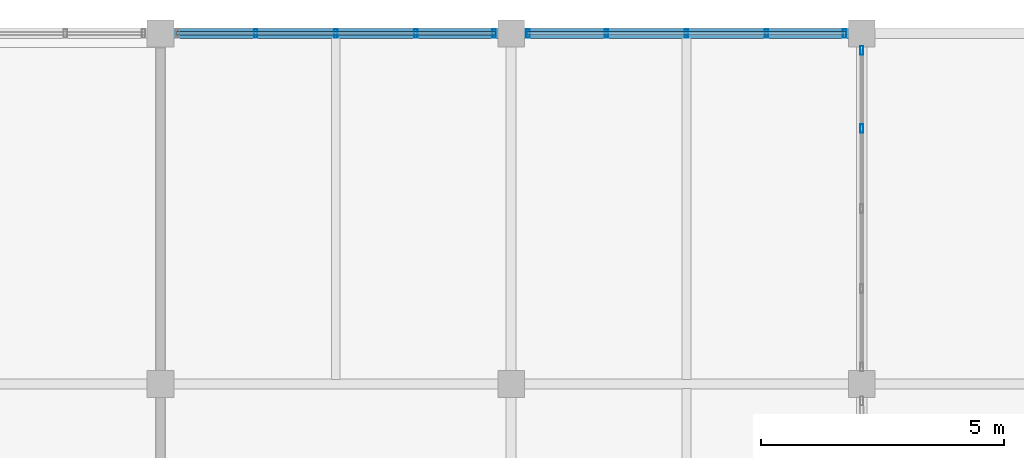
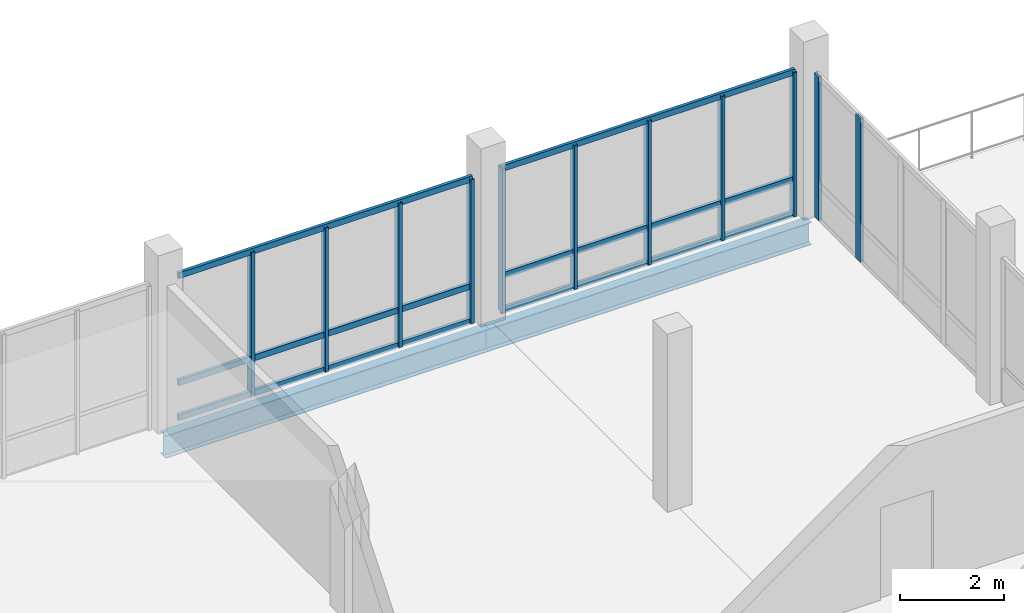
# One storey, part 28 of 47: 17 members, 2 beams, 3 elements without a shape of their own.
"""IFC4 building model written with IfcOpenShell, lengths in metres."""

from ifc_helpers import new_model, si_unit, direction, frame, origin, origin_2d, place, context, subcontext, project, spatial, hollow_rectangle, i_section, extrude, material, material_profile, profile_set, type_object, element, aggregate, save


model = new_model("IFC4")

# Units and contexts
model_context = context("Model", 3, precision=1e-05, world=origin(), true_north=direction((0.0, 1.0)))
body_context = subcontext(model_context, "Body", "Model", "MODEL_VIEW")
ifc_project = project(units=[si_unit("LENGTHUNIT", "METRE"), si_unit("AREAUNIT", "SQUARE_METRE"), si_unit("VOLUMEUNIT", "CUBIC_METRE"), si_unit("PLANEANGLEUNIT", "RADIAN"), si_unit("MASSUNIT", "GRAM", prefix="KILO")], contexts=[model_context])

# Site, building, storey
site_placement = place(None, origin())
site = spatial("IfcSite", under=ifc_project, at=site_placement, CompositionType="ELEMENT")
building_placement = place(site_placement, origin())
building = spatial("IfcBuilding", under=site, at=building_placement, Name="Yarey Park Central Fire Station", CompositionType="ELEMENT")
storey_placement = place(building_placement, frame((0.0, 0.0, 18.0)))
storey = spatial("IfcBuildingStorey", under=building, at=storey_placement, Name="L05", CompositionType="ELEMENT", Elevation=18.0)

# Curtain wall, members
ifc_material_1 = material(Name="Anodized Aluminium Frame", Category="aluminium")
curtain_wall_type = type_object("IfcCurtainWallType", Name="ENV_CW_HQ_L05", PredefinedType="NOTDEFINED", material=ifc_material_1)
curtain_wall_1_placement = place(storey_placement, origin())
curtain_wall_1 = element("IfcCurtainWall", 1, at=curtain_wall_1_placement, inside=storey, type_object=curtain_wall_type, Name="CW_L05_V4_N_4", PredefinedType="NOTDEFINED")
ifc_material_profile_1 = material_profile(ifc_material_1, hollow_rectangle(XDim=0.070068359375, YDim=0.179931640625, WallThickness=0.00390625, at=origin_2d()), Name="ALU 180x70x4")
ifc_profile_set_1 = profile_set([ifc_material_profile_1], Name="Anodized Aluminium Frame")
member_type_1 = type_object("IfcMemberType", Name="ENV_CW_MULLION", PredefinedType="MULLION", material=ifc_profile_set_1)
member_1_placement = place(storey_placement, frame((143.64990234375, 115.199951171875, 0.0), z_axis=(0.0, 0.0, 1.0), x_axis=(1.0, 0.0, 0.0)))
member_1 = element("IfcMember", 2, at=member_1_placement, type_object=member_type_1, Name="CW_L05_V4_N_4_MUL1", PredefinedType="MULLION", context=body_context, shape_type="SweptSolid", body=[
    extrude(hollow_rectangle(XDim=0.070068359375, YDim=0.179931640625, WallThickness=0.00390625, at=origin_2d()), origin(), (0.0, 0.0, 1.0), 3.39990234375),
])
member_2_placement = place(storey_placement, frame((142.044921875, 115.199951171875, 0.0), z_axis=(0.0, 0.0, 1.0), x_axis=(1.0, 0.0, 0.0)))
member_2 = element("IfcMember", 3, at=member_2_placement, type_object=member_type_1, Name="CW_L05_V4_N_4_MUL2", PredefinedType="MULLION", context=body_context, shape_type="SweptSolid", body=[
    extrude(hollow_rectangle(XDim=0.070068359375, YDim=0.179931640625, WallThickness=0.00390625, at=origin_2d()), origin(), (0.0, 0.0, 1.0), 3.39990234375),
])
member_3_placement = place(storey_placement, frame((140.39990234375, 115.199951171875, 0.0), z_axis=(0.0, 0.0, 1.0), x_axis=(1.0, 0.0, 0.0)))
member_3 = element("IfcMember", 4, at=member_3_placement, type_object=member_type_1, Name="CW_L05_V4_N_4_MUL3", PredefinedType="MULLION", context=body_context, shape_type="SweptSolid", body=[
    extrude(hollow_rectangle(XDim=0.070068359375, YDim=0.179931640625, WallThickness=0.00390625, at=origin_2d()), origin(), (0.0, 0.0, 1.0), 3.39990234375),
])
member_4_placement = place(storey_placement, frame((138.7548828125, 115.199951171875, 0.0), z_axis=(0.0, 0.0, 1.0), x_axis=(1.0, 0.0, 0.0)))
member_4 = element("IfcMember", 5, at=member_4_placement, type_object=member_type_1, Name="CW_L05_V4_N_4_MUL4", PredefinedType="MULLION", context=body_context, shape_type="SweptSolid", body=[
    extrude(hollow_rectangle(XDim=0.070068359375, YDim=0.179931640625, WallThickness=0.00390625, at=origin_2d()), origin(), (0.0, 0.0, 1.0), 3.39990234375),
])

curtain_wall_2_placement = place(storey_placement, origin())
curtain_wall_2 = element("IfcCurtainWall", 6, at=curtain_wall_2_placement, inside=storey, type_object=curtain_wall_type, Name="CW_L05_V4_N_5", PredefinedType="NOTDEFINED")
member_5_placement = place(storey_placement, frame((150.85009765625, 115.199951171875, 0.0), z_axis=(0.0, 0.0, 1.0), x_axis=(1.0, 0.0, 0.0)))
member_5 = element("IfcMember", 7, at=member_5_placement, type_object=member_type_1, Name="CW_L05_V4_N_5_MUL1", PredefinedType="MULLION", context=body_context, shape_type="SweptSolid", body=[
    extrude(hollow_rectangle(XDim=0.070068359375, YDim=0.179931640625, WallThickness=0.00390625, at=origin_2d()), origin(), (0.0, 0.0, 1.0), 3.39990234375),
])
member_6_placement = place(storey_placement, frame((149.2451171875, 115.199951171875, 0.0), z_axis=(0.0, 0.0, 1.0), x_axis=(1.0, 0.0, 0.0)))
member_6 = element("IfcMember", 8, at=member_6_placement, type_object=member_type_1, Name="CW_L05_V4_N_5_MUL2", PredefinedType="MULLION", context=body_context, shape_type="SweptSolid", body=[
    extrude(hollow_rectangle(XDim=0.070068359375, YDim=0.179931640625, WallThickness=0.00390625, at=origin_2d()), origin(), (0.0, 0.0, 1.0), 3.39990234375),
])
member_7_placement = place(storey_placement, frame((147.60009765625, 115.199951171875, 0.0), z_axis=(0.0, 0.0, 1.0), x_axis=(1.0, 0.0, 0.0)))
member_7 = element("IfcMember", 9, at=member_7_placement, type_object=member_type_1, Name="CW_L05_V4_N_5_MUL3", PredefinedType="MULLION", context=body_context, shape_type="SweptSolid", body=[
    extrude(hollow_rectangle(XDim=0.070068359375, YDim=0.179931640625, WallThickness=0.00390625, at=origin_2d()), origin(), (0.0, 0.0, 1.0), 3.39990234375),
])
member_8_placement = place(storey_placement, frame((145.955078125, 115.199951171875, 0.0), z_axis=(0.0, 0.0, 1.0), x_axis=(1.0, 0.0, 0.0)))
member_8 = element("IfcMember", 10, at=member_8_placement, type_object=member_type_1, Name="CW_L05_V4_N_5_MUL4", PredefinedType="MULLION", context=body_context, shape_type="SweptSolid", body=[
    extrude(hollow_rectangle(XDim=0.070068359375, YDim=0.179931640625, WallThickness=0.00390625, at=origin_2d()), origin(), (0.0, 0.0, 1.0), 3.39990234375),
])
member_9_placement = place(storey_placement, frame((144.35009765625, 115.199951171875, 0.0), z_axis=(0.0, 0.0, 1.0), x_axis=(1.0, 0.0, 0.0)))
member_9 = element("IfcMember", 11, at=member_9_placement, type_object=member_type_1, Name="CW_L05_V4_N_5_MUL5", PredefinedType="MULLION", context=body_context, shape_type="SweptSolid", body=[
    extrude(hollow_rectangle(XDim=0.070068359375, YDim=0.179931640625, WallThickness=0.00390625, at=origin_2d()), origin(), (0.0, 0.0, 1.0), 3.39990234375),
])

curtain_wall_3_placement = place(storey_placement, origin())
curtain_wall_3 = element("IfcCurtainWall", 12, at=curtain_wall_3_placement, inside=storey, type_object=curtain_wall_type, Name="CW_L05_V4_E_108", PredefinedType="NOTDEFINED")
member_10_placement = place(storey_placement, frame((151.199951171875, 113.2451171875, 0.0), z_axis=(0.0, 0.0, 1.0), x_axis=(1.0, 0.0, 0.0)))
member_10 = element("IfcMember", 13, at=member_10_placement, type_object=member_type_1, Name="CW_L05_V4_E_108_MUL4", PredefinedType="MULLION", context=body_context, shape_type="SweptSolid", body=[
    extrude(hollow_rectangle(XDim=0.070068359375, YDim=0.179931640625, WallThickness=0.00390625, at=origin_2d()), origin(), (0.0, 0.0, 1.0), 3.39990234375),
])
member_11_placement = place(storey_placement, frame((151.199951171875, 114.85009765625, 0.0), z_axis=(0.0, 0.0, 1.0), x_axis=(1.0, 0.0, 0.0)))
member_11 = element("IfcMember", 14, at=member_11_placement, type_object=member_type_1, Name="CW_L05_V4_E_108_MUL5", PredefinedType="MULLION", context=body_context, shape_type="SweptSolid", body=[
    extrude(hollow_rectangle(XDim=0.070068359375, YDim=0.179931640625, WallThickness=0.00390625, at=origin_2d()), origin(), (0.0, 0.0, 1.0), 3.39990234375),
])
aggregate(curtain_wall_3, [member_10, member_11])

# Member
ifc_material_profile_2 = material_profile(ifc_material_1, hollow_rectangle(XDim=0.070068359375, YDim=0.139892578125, WallThickness=0.00390625, at=origin_2d()), Name="ALU 140x70x4")
ifc_profile_set_2 = profile_set([ifc_material_profile_2], Name="Anodized Aluminium Frame")
member_type_2 = type_object("IfcMemberType", Name="ENV_CW_TRANSOM", PredefinedType="USERDEFINED", material=ifc_profile_set_2)
member_12_placement = place(storey_placement, frame((143.675048828125, 115.199951171875, 0.02490234375), z_axis=(-1.0, 0.0, 0.0), x_axis=(0.0, -1.0, 0.0)))
member_12 = element("IfcMember", 15, at=member_12_placement, type_object=member_type_2, Name="CW_L05_V4_N_4_TRN1", ObjectType="TRANSOM", PredefinedType="USERDEFINED", context=body_context, shape_type="SweptSolid", body=[
    extrude(hollow_rectangle(XDim=0.070068359375, YDim=0.139892578125, WallThickness=0.00390625, at=origin_2d()), origin(), (0.0, 0.0, 1.0), 6.550048828125),
])

member_13_placement = place(storey_placement, frame((143.675048828125, 115.199951171875, 0.85009765625), z_axis=(-1.0, 0.0, 0.0), x_axis=(0.0, -1.0, 0.0)))
member_13 = element("IfcMember", 16, at=member_13_placement, type_object=member_type_2, Name="CW_L05_V4_N_4_TRN2", ObjectType="TRANSOM", PredefinedType="USERDEFINED", context=body_context, shape_type="SweptSolid", body=[
    extrude(hollow_rectangle(XDim=0.070068359375, YDim=0.139892578125, WallThickness=0.00390625, at=origin_2d()), origin(), (0.0, 0.0, 1.0), 6.550048828125),
])

member_14_placement = place(storey_placement, frame((143.675048828125, 115.199951171875, 3.375), z_axis=(-1.0, 0.0, 0.0), x_axis=(0.0, -1.0, 0.0)))
member_14 = element("IfcMember", 17, at=member_14_placement, type_object=member_type_2, Name="CW_L05_V4_N_4_TRN3", ObjectType="TRANSOM", PredefinedType="USERDEFINED", context=body_context, shape_type="SweptSolid", body=[
    extrude(hollow_rectangle(XDim=0.070068359375, YDim=0.139892578125, WallThickness=0.00390625, at=origin_2d()), origin(), (0.0, 0.0, 1.0), 6.550048828125),
])

aggregate(curtain_wall_1, [member_1, member_2, member_3, member_4, member_12, member_13, member_14])

member_15_placement = place(storey_placement, frame((150.875, 115.199951171875, 0.02490234375), z_axis=(-1.0, 0.0, 0.0), x_axis=(0.0, -1.0, 0.0)))
member_15 = element("IfcMember", 18, at=member_15_placement, type_object=member_type_2, Name="CW_L05_V4_N_5_TRN1", ObjectType="TRANSOM", PredefinedType="USERDEFINED", context=body_context, shape_type="SweptSolid", body=[
    extrude(hollow_rectangle(XDim=0.070068359375, YDim=0.139892578125, WallThickness=0.00390625, at=origin_2d()), origin(), (0.0, 0.0, 1.0), 6.550048828125),
])

member_16_placement = place(storey_placement, frame((150.875, 115.199951171875, 0.85009765625), z_axis=(-1.0, 0.0, 0.0), x_axis=(0.0, -1.0, 0.0)))
member_16 = element("IfcMember", 19, at=member_16_placement, type_object=member_type_2, Name="CW_L05_V4_N_5_TRN2", ObjectType="TRANSOM", PredefinedType="USERDEFINED", context=body_context, shape_type="SweptSolid", body=[
    extrude(hollow_rectangle(XDim=0.070068359375, YDim=0.139892578125, WallThickness=0.00390625, at=origin_2d()), origin(), (0.0, 0.0, 1.0), 6.550048828125),
])

member_17_placement = place(storey_placement, frame((150.875, 115.199951171875, 3.375), z_axis=(-1.0, 0.0, 0.0), x_axis=(0.0, -1.0, 0.0)))
member_17 = element("IfcMember", 20, at=member_17_placement, type_object=member_type_2, Name="CW_L05_V4_N_5_TRN3", ObjectType="TRANSOM", PredefinedType="USERDEFINED", context=body_context, shape_type="SweptSolid", body=[
    extrude(hollow_rectangle(XDim=0.070068359375, YDim=0.139892578125, WallThickness=0.00390625, at=origin_2d()), origin(), (0.0, 0.0, 1.0), 6.550048828125),
])

aggregate(curtain_wall_2, [member_5, member_6, member_7, member_8, member_9, member_15, member_16, member_17])

# Beams
ifc_material_2 = material(Name="Steel ASTM A992 Gr. 50", Category="steel")
ifc_material_profile_3 = material_profile(ifc_material_2, i_section(OverallWidth=0.208984375, OverallDepth=0.532958984375, WebThickness=0.01025390625, FlangeThickness=0.015625, at=origin_2d()), Name="W530x92")
ifc_profile_set_3 = profile_set([ifc_material_profile_3], Name="Steel ASTM A992 Gr. 50")
beam_type = type_object("IfcBeamType", Name="STR_BM_W530", PredefinedType="BEAM", material=ifc_profile_set_3)
for number, where, z_axis, x_axis, name in (
    (21, (136.800048828125, 115.199951171875, -0.506591796875), (1.0, 0.0, 0.0), (0.0, 1.0, 0.0), "BMX L05 Y1152 X1368"),
    (22, (144.0, 115.199951171875, -0.506591796875), (1.0, 0.0, 0.0), (0.0, 1.0, 0.0), "BMX L05 Y1152 X1440"),
):
    element("IfcBeam", number, at=place(storey_placement, frame(where, z_axis=z_axis, x_axis=x_axis)), inside=storey, type_object=beam_type, Name=name, PredefinedType="BEAM", context=body_context, shape_type="SweptSolid", body=[
        extrude(i_section(OverallWidth=0.208984375, OverallDepth=0.532958984375, WebThickness=0.01025390625, FlangeThickness=0.015625, at=origin_2d()), origin(), (0.0, 0.0, 1.0), 7.199951171875),
    ])

save(model, "model.ifc")
